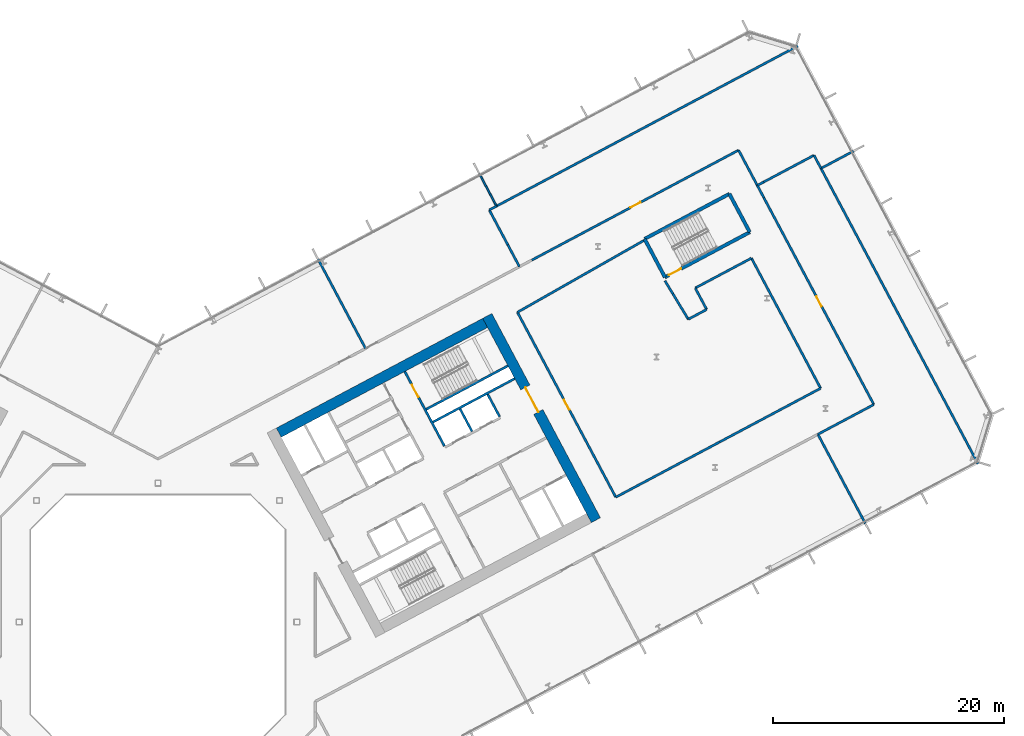
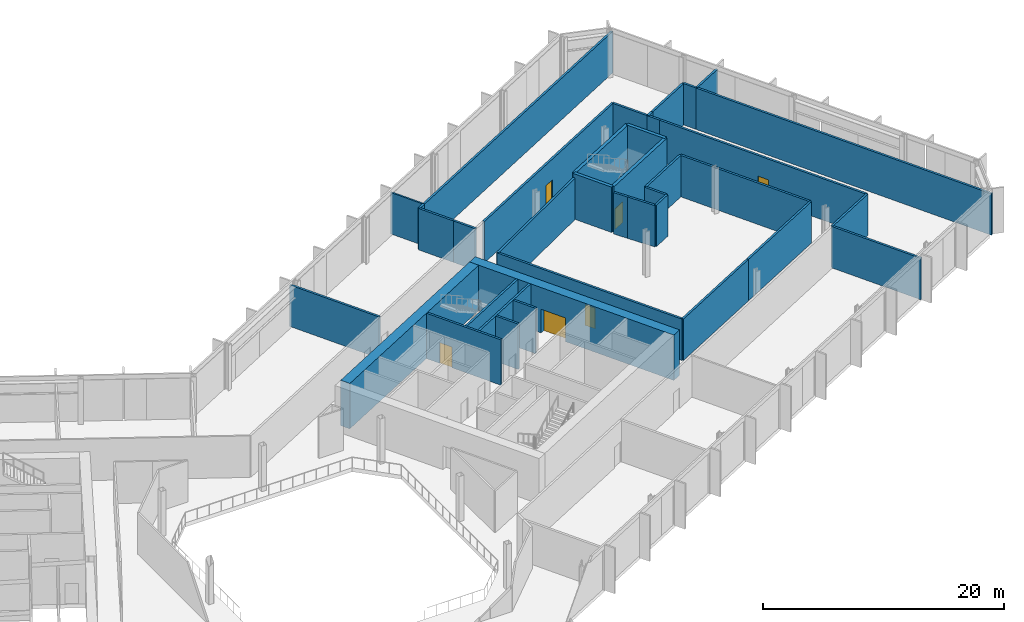
# One storey, part 18 of 30: 38 walls, 6 doors, 6 openings.
"""IFC4 building model written with IfcOpenShell, lengths in metres."""

from ifc_helpers import new_model, si_unit, direction, frame, frame_2d, origin, place, context, subcontext, project, spatial, rectangle, extrude, material, layer, layer_set, type_object, element, fill, save


model = new_model("IFC4")

# Units and contexts
model_context = context("Model", 3, precision=1e-05, world=origin(), true_north=direction((0.0, 1.0)))
body_context = subcontext(model_context, "Body", "Model", "MODEL_VIEW")
ifc_project = project(units=[si_unit("LENGTHUNIT", "METRE"), si_unit("AREAUNIT", "SQUARE_METRE"), si_unit("VOLUMEUNIT", "CUBIC_METRE"), si_unit("PLANEANGLEUNIT", "RADIAN"), si_unit("MASSUNIT", "GRAM", prefix="KILO")], contexts=[model_context])

# Site, building, storey
site_placement = place(None, origin())
site = spatial("IfcSite", under=ifc_project, at=site_placement, CompositionType="ELEMENT")
building_placement = place(site_placement, origin())
building = spatial("IfcBuilding", under=site, at=building_placement, Name="Cormorant Relay Tower", CompositionType="ELEMENT")
storey_placement = place(building_placement, frame((0.0, 0.0, 89.199951171875)))
storey = spatial("IfcBuildingStorey", under=building, at=storey_placement, Name="L17", CompositionType="ELEMENT", Elevation=89.199951171875)

# Wall
ifc_material_1 = material(Name="Concrete 40 MPa", Category="concrete")
ifc_layer_1 = layer(ifc_material_1, 0.199951171875)
ifc_layer_set_1 = layer_set([ifc_layer_1], Name="Core internal wall 200")
wall_type_1 = type_object("IfcWallType", Name="Core internal wall 200", PredefinedType="SOLIDWALL", material=ifc_layer_set_1)
wall_1_placement = place(storey_placement, frame((27.144287109375, 16.471435546875, 0.0), z_axis=(0.0, 0.0, 1.0), x_axis=(-0.469401318492, 0.882984938828, 0.0)))
element("IfcWall", 1, at=wall_1_placement, inside=storey, type_object=wall_type_1, Name="L17 core B shaft and room wall", PredefinedType="SOLIDWALL", context=body_context, shape_type="SweptSolid", body=[
    extrude(rectangle(XDim=2.199951171875, YDim=0.199951171875, at=frame_2d((1.10009765625, 0.0))), origin(), (0.0, 0.0, 1.0), 4.60009765625),
])

# Wall, opening, door
ifc_material_2 = material(Name="Concrete 50 MPa", Category="concrete")
ifc_layer_2 = layer(ifc_material_2, 0.199951171875)
ifc_layer_set_2 = layer_set([ifc_layer_2], Name="Core shaft wall 200")
wall_type_2 = type_object("IfcWallType", Name="Core shaft wall 200", PredefinedType="SHEAR", material=ifc_layer_set_2)
wall_2_placement = place(storey_placement, frame((24.760498046875, 15.2041015625, 0.0), z_axis=(0.0, 0.0, 1.0), x_axis=(-0.469494272526, 0.882935517501, 0.0)))
wall_2 = element("IfcWall", 2, at=wall_2_placement, inside=storey, type_object=wall_type_2, Name="L17 core B shaft wall", PredefinedType="SHEAR", context=body_context, shape_type="SweptSolid", body=[
    extrude(rectangle(XDim=7.2998046875, YDim=0.199951171875, at=frame_2d((3.64990234375, 0.0))), origin(), (0.0, 0.0, 1.0), 4.60009765625),
])
opening_1_placement = place(wall_2_placement, frame((4.800048828125, 0.0, 0.0)))
opening_1 = element("IfcOpeningElement", 3, at=opening_1_placement, cuts=wall_2, Name="Opening CDB-027", PredefinedType="OPENING", context=body_context, shape_type="SweptSolid", body=[
    extrude(rectangle(XDim=1.199951171875, YDim=2.10009765625, at=frame_2d((0.60009765625, 1.050048828125))), frame((0.0, 0.10986328125, 0.0), z_axis=(0.0, -1.0, 0.0), x_axis=(1.0, 0.0, 0.0)), (0.0, 0.0, 1.0), 0.219970703125),
])
ifc_material_3 = material(Name="Steel fire door", Category="steel")
door_type_1 = type_object("IfcDoorType", Name="Core stair door 1200x2100", OperationType="SINGLE_SWING_LEFT", PredefinedType="DOOR", material=ifc_material_3)
door_1_placement = place(opening_1_placement, frame((1.199951171875, 0.0, 0.0), z_axis=(0.0, 0.0, 1.0), x_axis=(-1.0, 0.0, 0.0)))
door_1 = element("IfcDoor", 4, at=door_1_placement, inside=storey, type_object=door_type_1, Name="Core stair door 1200x2100", OperationType="SINGLE_SWING_RIGHT", OverallHeight=2.10009765625, OverallWidth=1.199951171875, PredefinedType="DOOR", context=body_context, shape_type="SweptSolid", body=[
    extrude(rectangle(XDim=1.199951171875, YDim=2.10009765625, at=frame_2d((0.60009765625, 1.050048828125))), frame((0.0, 0.02490234375, 0.0), z_axis=(0.0, -1.0, 0.0), x_axis=(1.0, 0.0, 0.0)), (0.0, 0.0, 1.0), 0.050048828125),
])
fill(opening_1, door_1)

# Walls
wall_3_placement = place(storey_placement, frame((29.5283203125, 17.739013671875, 0.0), z_axis=(0.0, 0.0, 1.0), x_axis=(-0.469401318492, 0.882984938828, 0.0)))
element("IfcWall", 5, at=wall_3_placement, inside=storey, type_object=wall_type_2, Name="L17 core B shaft wall", PredefinedType="SHEAR", context=body_context, shape_type="SweptSolid", body=[
    extrude(rectangle(XDim=2.199951171875, YDim=0.199951171875, at=frame_2d((1.10009765625, 0.0))), origin(), (0.0, 0.0, 1.0), 4.60009765625),
])
wall_4_placement = place(storey_placement, frame((23.76904296875, 17.28173828125, 0.0), z_axis=(0.0, 0.0, 1.0), x_axis=(0.882940221191, 0.469485426614, 0.0)))
element("IfcWall", 6, at=wall_4_placement, inside=storey, type_object=wall_type_2, Name="L17 core B shaft wall", PredefinedType="SHEAR", context=body_context, shape_type="SweptSolid", body=[
    extrude(rectangle(XDim=8.0, YDim=0.199951171875, at=frame_2d((4.0, 0.0))), origin(), (0.0, 0.0, 1.0), 4.60009765625),
])
wall_5_placement = place(storey_placement, frame((23.18212890625, 18.385498046875, 0.0), z_axis=(0.0, 0.0, 1.0), x_axis=(0.88295287151, 0.469461634952, 0.0)))
element("IfcWall", 7, at=wall_5_placement, inside=storey, type_object=wall_type_2, Name="L17 core B shaft wall", PredefinedType="SHEAR", context=body_context, shape_type="SweptSolid", body=[
    extrude(rectangle(XDim=7.999755859375, YDim=0.199951171875, at=frame_2d((4.0, 0.0))), origin(), (0.0, 0.0, 1.0), 4.60009765625),
])

# Wall, opening, door
ifc_material_4 = material(Name="Concrete 70 MPa", Category="concrete")
ifc_layer_3 = layer(ifc_material_4, 0.89990234375)
ifc_layer_set_3 = layer_set([ifc_layer_3], Name="Core wall 900")
wall_type_3 = type_object("IfcWallType", Name="Core wall 900", PredefinedType="SHEAR", material=ifc_layer_set_3)
wall_6_placement = place(storey_placement, frame((37.849365234375, 8.799072265625, 0.0), z_axis=(0.0, 0.0, 1.0), x_axis=(-0.469465789982, 0.882950662289, 0.0)))
wall_6 = element("IfcWall", 8, at=wall_6_placement, inside=storey, type_object=wall_type_3, Name="L17 core B wall", PredefinedType="SHEAR", context=body_context, shape_type="SweptSolid", body=[
    extrude(rectangle(XDim=20.000244140625, YDim=0.89990234375, at=frame_2d((10.0, 0.0))), origin(), (0.0, 0.0, 1.0), 4.60009765625),
])
opening_2_placement = place(wall_6_placement, frame((10.60009765625, 0.0, 0.0)))
opening_2 = element("IfcOpeningElement", 9, at=opening_2_placement, cuts=wall_6, Name="Opening CDA-020", PredefinedType="OPENING", context=body_context, shape_type="SweptSolid", body=[
    extrude(rectangle(XDim=2.39990234375, YDim=2.39990234375, at=frame_2d((1.199951171875, 1.199951171875))), frame((0.0, 0.4599609375, 0.0), z_axis=(0.0, -1.0, 0.0), x_axis=(1.0, 0.0, 0.0)), (0.0, 0.0, 1.0), 0.919921875),
])
ifc_material_5 = material(Name="Steel fire door", Category="steel")
door_type_2 = type_object("IfcDoorType", Name="Core lobby door 2400x2400", OperationType="DOUBLE_DOOR_SINGLE_SWING", PredefinedType="DOOR", material=ifc_material_5)
door_2_placement = place(opening_2_placement, origin())
door_2 = element("IfcDoor", 10, at=door_2_placement, inside=storey, type_object=door_type_2, Name="Core lobby door 2400x2400", OperationType="DOUBLE_DOOR_SINGLE_SWING", OverallHeight=2.39990234375, OverallWidth=2.39990234375, PredefinedType="DOOR", context=body_context, shape_type="SweptSolid", body=[
    extrude(rectangle(XDim=2.39990234375, YDim=2.39990234375, at=frame_2d((1.199951171875, 1.199951171875))), frame((0.0, 0.02490234375, 0.0), z_axis=(0.0, -1.0, 0.0), x_axis=(1.0, 0.0, 0.0)), (0.0, 0.0, 1.0), 0.050048828125),
])
fill(opening_2, door_2)

# Walls
wall_7_placement = place(storey_placement, frame((10.4384765625, 16.3662109375, 0.0), z_axis=(0.0, 0.0, 1.0), x_axis=(0.88294509198, 0.469476266226, 0.0)))
element("IfcWall", 11, at=wall_7_placement, inside=storey, type_object=wall_type_3, Name="L17 core B wall", PredefinedType="SHEAR", context=body_context, shape_type="SweptSolid", body=[
    extrude(rectangle(XDim=20.199951171875, YDim=0.89990234375, at=frame_2d((10.10009765625, 0.0))), origin(), (0.0, 0.0, 1.0), 4.60009765625),
])
ifc_material_6 = material(Name="Fire-rated gypsum board partition")
ifc_layer_4 = layer(ifc_material_6, 0.199951171875)
ifc_layer_set_4 = layer_set([ifc_layer_4], Name="Fire-rated gypsum partition 200")
wall_type_4 = type_object("IfcWallType", Name="Fire-rated gypsum partition 200", PredefinedType="PARTITIONING", material=ifc_layer_set_4)
wall_8_placement = place(storey_placement, frame((13.833984375, 31.365966796875, 0.0), z_axis=(0.0, 0.0, 1.0), x_axis=(0.469374180568, -0.882999365014, 0.0)))
element("IfcWall", 12, at=wall_8_placement, inside=storey, type_object=wall_type_4, Name="wall/L17/part/48", PredefinedType="PARTITIONING", context=body_context, shape_type="SweptSolid", body=[
    extrude(rectangle(XDim=8.749755859375, YDim=0.199951171875, at=frame_2d((4.375, 0.0))), origin(), (0.0, 0.0, 1.0), 4.199951171875),
])
wall_9_placement = place(storey_placement, frame((30.235107421875, 32.59912109375, 0.0), z_axis=(0.0, 0.0, 1.0), x_axis=(0.46945013559, -0.882958985568, 0.0)))
element("IfcWall", 13, at=wall_9_placement, inside=storey, type_object=wall_type_4, Name="wall/L17/part/58", PredefinedType="PARTITIONING", context=body_context, shape_type="SweptSolid", body=[
    extrude(rectangle(XDim=2.138427734375, YDim=0.199951171875, at=frame_2d((1.0693359375, 0.0))), origin(), (0.0, 0.0, 1.0), 4.199951171875),
])
wall_10_placement = place(storey_placement, frame((29.260009765625, 35.945068359375, 0.0), z_axis=(0.0, 0.0, 1.0), x_axis=(0.882955510648, 0.469456671288, 0.0)))
element("IfcWall", 14, at=wall_10_placement, inside=storey, type_object=wall_type_4, Name="wall/L17/part/60", PredefinedType="PARTITIONING", context=body_context, shape_type="SweptSolid", body=[
    extrude(rectangle(XDim=29.506591796875, YDim=0.199951171875, at=frame_2d((14.75341796875, 0.0))), origin(), (0.0, 0.0, 1.0), 4.199951171875),
])
wall_11_placement = place(storey_placement, frame((30.235107421875, 32.59912109375, 0.0), z_axis=(0.0, 0.0, 1.0), x_axis=(-0.469599917758, 0.882879333341, 0.0)))
element("IfcWall", 15, at=wall_11_placement, inside=storey, type_object=wall_type_4, Name="wall/L17/part/61", PredefinedType="PARTITIONING", context=body_context, shape_type="SweptSolid", body=[
    extrude(rectangle(XDim=3.41162109375, YDim=0.199951171875, at=frame_2d((1.705810546875, 0.0))), origin(), (0.0, 0.0, 1.0), 4.199951171875),
])
wall_12_placement = place(storey_placement, frame((28.633056640625, 35.611083984375, 0.0), z_axis=(0.0, 0.0, 1.0), x_axis=(0.882581167339, 0.470160061106, 0.0)))
element("IfcWall", 16, at=wall_12_placement, inside=storey, type_object=wall_type_4, Name="wall/L17/part/62", PredefinedType="PARTITIONING", context=body_context, shape_type="SweptSolid", body=[
    extrude(rectangle(XDim=0.71044921875, YDim=0.199951171875, at=frame_2d((0.355224609375, 0.0))), origin(), (0.0, 0.0, 1.0), 4.199951171875),
])

# Wall, opening, door
wall_13_placement = place(storey_placement, frame((32.30810546875, 31.279052734375, 0.0), z_axis=(0.0, 0.0, 1.0), x_axis=(0.882939951573, 0.469485933673, 0.0)))
wall_13 = element("IfcWall", 17, at=wall_13_placement, inside=storey, type_object=wall_type_4, Name="wall/L17/part/64", PredefinedType="PARTITIONING", context=body_context, shape_type="SweptSolid", body=[
    extrude(rectangle(XDim=20.239013671875, YDim=0.199951171875, at=frame_2d((10.11962890625, 0.0))), origin(), (0.0, 0.0, 1.0), 4.199951171875),
])
opening_3_placement = place(wall_13_placement, frame((9.64990234375, 0.0, 0.0)))
opening_3 = element("IfcOpeningElement", 18, at=opening_3_placement, cuts=wall_13, Name="Opening FD1-099", PredefinedType="OPENING", context=body_context, shape_type="SweptSolid", body=[
    extrude(rectangle(XDim=1.0, YDim=2.10009765625, at=frame_2d((0.5, 1.050048828125))), frame((0.0, 0.10986328125, 0.0), z_axis=(0.0, -1.0, 0.0), x_axis=(1.0, 0.0, 0.0)), (0.0, 0.0, 1.0), 0.219970703125),
])
ifc_material_7 = material(Name="Fire-rated steel door", Category="steel")
door_type_3 = type_object("IfcDoorType", Name="Fire door 1000 x 2100", OperationType="SINGLE_SWING_LEFT", PredefinedType="DOOR", material=ifc_material_7)
door_3_placement = place(opening_3_placement, origin())
door_3 = element("IfcDoor", 19, at=door_3_placement, inside=storey, type_object=door_type_3, Name="door/L17/8", OperationType="SINGLE_SWING_LEFT", OverallHeight=2.10009765625, OverallWidth=1.0, PredefinedType="DOOR", context=body_context, shape_type="SweptSolid", body=[
    extrude(rectangle(XDim=1.0, YDim=2.10009765625, at=frame_2d((0.5, 1.050048828125))), frame((0.0, 0.02490234375, 0.0), z_axis=(0.0, -1.0, 0.0), x_axis=(1.0, 0.0, 0.0)), (0.0, 0.0, 1.0), 0.050048828125),
])
fill(opening_3, door_3)

# Walls
wall_14_placement = place(storey_placement, frame((50.177978515625, 40.781005859375, 0.0), z_axis=(0.0, 0.0, 1.0), x_axis=(0.469355564401, -0.883009260521, 0.0)))
element("IfcWall", 20, at=wall_14_placement, inside=storey, type_object=wall_type_4, Name="wall/L17/part/65", PredefinedType="PARTITIONING", context=body_context, shape_type="SweptSolid", body=[
    extrude(rectangle(XDim=3.445068359375, YDim=0.199951171875, at=frame_2d((1.72265625, 0.0))), origin(), (0.0, 0.0, 1.0), 4.199951171875),
])
wall_15_placement = place(storey_placement, frame((57.033935546875, 16.22509765625, 0.0), z_axis=(0.0, 0.0, 1.0), x_axis=(0.469482945701, -0.882941540361, 0.0)))
element("IfcWall", 21, at=wall_15_placement, inside=storey, type_object=wall_type_4, Name="wall/L17/part/66", PredefinedType="PARTITIONING", context=body_context, shape_type="SweptSolid", body=[
    extrude(rectangle(XDim=8.75048828125, YDim=0.199951171875, at=frame_2d((4.375244140625, 0.0))), origin(), (0.0, 0.0, 1.0), 4.199951171875),
])
wall_16_placement = place(storey_placement, frame((48.541015625, 15.56005859375, 0.0), z_axis=(0.0, 0.0, 1.0), x_axis=(-0.882933406877, -0.469498241765, 0.0)))
element("IfcWall", 22, at=wall_16_placement, inside=storey, type_object=wall_type_4, Name="wall/L17/part/67", PredefinedType="PARTITIONING", context=body_context, shape_type="SweptSolid", body=[
    extrude(rectangle(XDim=10.1640625, YDim=0.199951171875, at=frame_2d((5.08203125, 0.0))), origin(), (0.0, 0.0, 1.0), 4.199951171875),
])

# Wall, opening, door
wall_17_placement = place(storey_placement, frame((39.56689453125, 10.7880859375, 0.0), z_axis=(0.0, 0.0, 1.0), x_axis=(-0.469474056812, 0.882946266757, 0.0)))
wall_17 = element("IfcWall", 23, at=wall_17_placement, inside=storey, type_object=wall_type_4, Name="wall/L17/part/68", PredefinedType="PARTITIONING", context=body_context, shape_type="SweptSolid", body=[
    extrude(rectangle(XDim=18.1005859375, YDim=0.199951171875, at=frame_2d((9.05029296875, 0.0))), origin(), (0.0, 0.0, 1.0), 4.199951171875),
])
opening_4_placement = place(wall_17_placement, frame((8.550048828125, 0.0, 0.0)))
opening_4 = element("IfcOpeningElement", 24, at=opening_4_placement, cuts=wall_17, Name="Opening FD1-094", PredefinedType="OPENING", context=body_context, shape_type="SweptSolid", body=[
    extrude(rectangle(XDim=1.0, YDim=2.10009765625, at=frame_2d((0.5, 1.050048828125))), frame((0.0, 0.10986328125, 0.0), z_axis=(0.0, -1.0, 0.0), x_axis=(1.0, 0.0, 0.0)), (0.0, 0.0, 1.0), 0.219970703125),
])
door_4_placement = place(opening_4_placement, origin())
door_4 = element("IfcDoor", 25, at=door_4_placement, inside=storey, type_object=door_type_3, Name="door/L17/21", OperationType="SINGLE_SWING_RIGHT", OverallHeight=2.10009765625, OverallWidth=1.0, PredefinedType="DOOR", context=body_context, shape_type="SweptSolid", body=[
    extrude(rectangle(XDim=1.0, YDim=2.10009765625, at=frame_2d((0.5, 1.050048828125))), frame((0.0, 0.02490234375, 0.0), z_axis=(0.0, -1.0, 0.0), x_axis=(1.0, 0.0, 0.0)), (0.0, 0.0, 1.0), 0.050048828125),
])
fill(opening_4, door_4)

# Walls
wall_18_placement = place(storey_placement, frame((31.069091796875, 26.77001953125, 0.0), z_axis=(0.0, 0.0, 1.0), x_axis=(0.86954617394, 0.493851649168, 0.0)))
element("IfcWall", 26, at=wall_18_placement, inside=storey, type_object=wall_type_4, Name="wall/L17/part/69", PredefinedType="PARTITIONING", context=body_context, shape_type="SweptSolid", body=[
    extrude(rectangle(XDim=12.55029296875, YDim=0.199951171875, at=frame_2d((6.275146484375, 0.0))), origin(), (0.0, 0.0, 1.0), 4.199951171875),
])
wall_19_placement = place(storey_placement, frame((43.81591796875, 29.490966796875, 0.0), z_axis=(0.0, 0.0, 1.0), x_axis=(0.518473208291, -0.855093873376, 0.0)))
element("IfcWall", 27, at=wall_19_placement, inside=storey, type_object=wall_type_4, Name="wall/L17/part/70", PredefinedType="PARTITIONING", context=body_context, shape_type="SweptSolid", body=[
    extrude(rectangle(XDim=1.324951171875, YDim=0.199951171875, at=frame_2d((0.66259765625, 0.0))), origin(), (0.0, 0.0, 1.0), 4.199951171875),
])
wall_20_placement = place(storey_placement, frame((45.8310546875, 26.1669921875, 0.0), z_axis=(0.0, 0.0, 1.0), x_axis=(-0.518386189645, 0.855146629757, 0.0)))
element("IfcWall", 28, at=wall_20_placement, inside=storey, type_object=wall_type_4, Name="wall/L17/part/71", PredefinedType="PARTITIONING", context=body_context, shape_type="SweptSolid", body=[
    extrude(rectangle(XDim=2.56201171875, YDim=0.199951171875, at=frame_2d((1.281005859375, 0.0))), origin(), (0.0, 0.0, 1.0), 4.199951171875),
])
wall_21_placement = place(storey_placement, frame((47.419921875, 27.011962890625, 0.0), z_axis=(0.0, 0.0, 1.0), x_axis=(-0.882911879422, -0.469538723829, 0.0)))
element("IfcWall", 29, at=wall_21_placement, inside=storey, type_object=wall_type_4, Name="wall/L17/part/72", PredefinedType="PARTITIONING", context=body_context, shape_type="SweptSolid", body=[
    extrude(rectangle(XDim=1.799560546875, YDim=0.199951171875, at=frame_2d((0.89990234375, 0.0))), origin(), (0.0, 0.0, 1.0), 4.199951171875),
])
wall_22_placement = place(storey_placement, frame((46.43408203125, 28.865966796875, 0.0), z_axis=(0.0, 0.0, 1.0), x_axis=(0.882942083458, 0.469481924316, 0.0)))
element("IfcWall", 30, at=wall_22_placement, inside=storey, type_object=wall_type_4, Name="wall/L17/part/73", PredefinedType="PARTITIONING", context=body_context, shape_type="SweptSolid", body=[
    extrude(rectangle(XDim=5.499755859375, YDim=0.199951171875, at=frame_2d((2.75, 0.0))), origin(), (0.0, 0.0, 1.0), 4.199951171875),
])
wall_23_placement = place(storey_placement, frame((51.2900390625, 31.447998046875, 0.0), z_axis=(0.0, 0.0, 1.0), x_axis=(0.469459757109, -0.882953869947, 0.0)))
element("IfcWall", 31, at=wall_23_placement, inside=storey, type_object=wall_type_4, Name="wall/L17/part/74", PredefinedType="PARTITIONING", context=body_context, shape_type="SweptSolid", body=[
    extrude(rectangle(XDim=12.738037109375, YDim=0.199951171875, at=frame_2d((6.369140625, 0.0))), origin(), (0.0, 0.0, 1.0), 4.199951171875),
])
wall_24_placement = place(storey_placement, frame((57.27001953125, 20.200927734375, 0.0), z_axis=(0.0, 0.0, 1.0), x_axis=(-0.882965394181, -0.469438081837, 0.0)))
element("IfcWall", 32, at=wall_24_placement, inside=storey, type_object=wall_type_4, Name="wall/L17/part/75", PredefinedType="PARTITIONING", context=body_context, shape_type="SweptSolid", body=[
    extrude(rectangle(XDim=9.885986328125, YDim=0.199951171875, at=frame_2d((4.94287109375, 0.0))), origin(), (0.0, 0.0, 1.0), 4.199951171875),
])
wall_25_placement = place(storey_placement, frame((47.419921875, 27.011962890625, 0.0), z_axis=(0.0, 0.0, 1.0), x_axis=(-0.469489562011, 0.882938022266, 0.0)))
element("IfcWall", 33, at=wall_25_placement, inside=storey, type_object=wall_type_4, Name="wall/L17/part/76", PredefinedType="PARTITIONING", context=body_context, shape_type="SweptSolid", body=[
    extrude(rectangle(XDim=2.099853515625, YDim=0.199951171875, at=frame_2d((1.0498046875, 0.0))), origin(), (0.0, 0.0, 1.0), 4.199951171875),
])
wall_26_placement = place(storey_placement, frame((51.794921875, 37.739013671875, 0.0), z_axis=(0.0, 0.0, 1.0), x_axis=(0.469473160434, -0.882946743373, 0.0)))
element("IfcWall", 34, at=wall_26_placement, inside=storey, type_object=wall_type_4, Name="wall/L17/part/77", PredefinedType="PARTITIONING", context=body_context, shape_type="SweptSolid", body=[
    extrude(rectangle(XDim=1.21630859375, YDim=0.199951171875, at=frame_2d((0.608154296875, 0.0))), origin(), (0.0, 0.0, 1.0), 4.199951171875),
])
wall_27_placement = place(storey_placement, frame((52.35107421875, 38.029052734375, 0.0), z_axis=(0.0, 0.0, 1.0), x_axis=(0.882969925021, 0.469429559688, 0.0)))
element("IfcWall", 35, at=wall_27_placement, inside=storey, type_object=wall_type_4, Name="wall/L17/part/78", PredefinedType="PARTITIONING", context=body_context, shape_type="SweptSolid", body=[
    extrude(rectangle(XDim=4.923095703125, YDim=0.199951171875, at=frame_2d((2.46142578125, 0.0))), origin(), (0.0, 0.0, 1.0), 4.199951171875),
])
wall_28_placement = place(storey_placement, frame((56.697998046875, 40.340087890625, 0.0), z_axis=(0.0, 0.0, 1.0), x_axis=(0.468946315527, -0.883226671446, 0.0)))
element("IfcWall", 36, at=wall_28_placement, inside=storey, type_object=wall_type_4, Name="wall/L17/part/79", PredefinedType="PARTITIONING", context=body_context, shape_type="SweptSolid", body=[
    extrude(rectangle(XDim=1.28173828125, YDim=0.199951171875, at=frame_2d((0.640869140625, 0.0))), origin(), (0.0, 0.0, 1.0), 4.199951171875),
])
wall_29_placement = place(storey_placement, frame((51.798095703125, 37.73388671875, 0.0), z_axis=(0.0, 0.0, 1.0), x_axis=(0.882191163795, 0.470891442396, 0.0)))
element("IfcWall", 37, at=wall_29_placement, inside=storey, type_object=wall_type_4, Name="wall/L17/part/80", PredefinedType="PARTITIONING", context=body_context, shape_type="SweptSolid", body=[
    extrude(rectangle(XDim=0.626708984375, YDim=0.199951171875, at=frame_2d((0.3134765625, 0.0))), origin(), (0.0, 0.0, 1.0), 4.199951171875),
])
wall_30_placement = place(storey_placement, frame((57.041015625, 16.22900390625, 0.0), z_axis=(0.0, 0.0, 1.0), x_axis=(0.882918476145, 0.469526319265, 0.0)))
element("IfcWall", 38, at=wall_30_placement, inside=storey, type_object=wall_type_4, Name="wall/L17/part/81", PredefinedType="PARTITIONING", context=body_context, shape_type="SweptSolid", body=[
    extrude(rectangle(XDim=5.467041015625, YDim=0.199951171875, at=frame_2d((2.7333984375, 0.0))), origin(), (0.0, 0.0, 1.0), 4.199951171875),
])

# Wall, opening, door
wall_31_placement = place(storey_placement, frame((52.365966796875, 36.6650390625, 0.0), z_axis=(0.0, 0.0, 1.0), x_axis=(0.469480933333, -0.882942610387, 0.0)))
wall_31 = element("IfcWall", 39, at=wall_31_placement, inside=storey, type_object=wall_type_4, Name="wall/L17/part/82", PredefinedType="PARTITIONING", context=body_context, shape_type="SweptSolid", body=[
    extrude(rectangle(XDim=20.2392578125, YDim=0.199951171875, at=frame_2d((10.11962890625, 0.0))), origin(), (0.0, 0.0, 1.0), 4.199951171875),
])
opening_5_placement = place(wall_31_placement, frame((9.64990234375, 0.0, 0.0)))
opening_5 = element("IfcOpeningElement", 40, at=opening_5_placement, cuts=wall_31, Name="Opening FD1-098", PredefinedType="OPENING", context=body_context, shape_type="SweptSolid", body=[
    extrude(rectangle(XDim=1.0, YDim=2.10009765625, at=frame_2d((0.5, 1.050048828125))), frame((0.0, 0.10986328125, 0.0), z_axis=(0.0, -1.0, 0.0), x_axis=(1.0, 0.0, 0.0)), (0.0, 0.0, 1.0), 0.219970703125),
])
door_5_placement = place(opening_5_placement, origin())
door_5 = element("IfcDoor", 41, at=door_5_placement, inside=storey, type_object=door_type_3, Name="door/L17/7", OperationType="SINGLE_SWING_LEFT", OverallHeight=2.10009765625, OverallWidth=1.0, PredefinedType="DOOR", context=body_context, shape_type="SweptSolid", body=[
    extrude(rectangle(XDim=1.0, YDim=2.10009765625, at=frame_2d((0.5, 1.050048828125))), frame((0.0, 0.02490234375, 0.0), z_axis=(0.0, -1.0, 0.0), x_axis=(1.0, 0.0, 0.0)), (0.0, 0.0, 1.0), 0.050048828125),
])
fill(opening_5, door_5)

# Walls
wall_32_placement = place(storey_placement, frame((57.299072265625, 39.2080078125, 0.0), z_axis=(0.0, 0.0, 1.0), x_axis=(0.469480728433, -0.882942719337, 0.0)))
element("IfcWall", 42, at=wall_32_placement, inside=storey, type_object=wall_type_4, Name="wall/L17/part/83", PredefinedType="PARTITIONING", context=body_context, shape_type="SweptSolid", body=[
    extrude(rectangle(XDim=28.93408203125, YDim=0.199951171875, at=frame_2d((14.467041015625, 0.0))), origin(), (0.0, 0.0, 1.0), 4.199951171875),
])
wall_33_placement = place(storey_placement, frame((60.126953125, 40.70703125, 0.0), z_axis=(0.0, 0.0, 1.0), x_axis=(-0.883027796121, -0.469320691295, 0.0)))
element("IfcWall", 43, at=wall_33_placement, inside=storey, type_object=wall_type_4, Name="wall/L17/part/84", PredefinedType="PARTITIONING", context=body_context, shape_type="SweptSolid", body=[
    extrude(rectangle(XDim=3.2001953125, YDim=0.199951171875, at=frame_2d((1.60009765625, 0.0))), origin(), (0.0, 0.0, 1.0), 4.199951171875),
])
ifc_material_8 = material(Name="Gypsum board partition")
ifc_layer_5 = layer(ifc_material_8, 0.14990234375)
ifc_layer_set_5 = layer_set([ifc_layer_5], Name="Gypsum board partition 150")
wall_type_5 = type_object("IfcWallType", Name="Gypsum board partition 150", PredefinedType="PARTITIONING", material=ifc_layer_set_5)
wall_34_placement = place(storey_placement, frame((27.760009765625, 38.77099609375, 0.0), z_axis=(0.0, 0.0, 1.0), x_axis=(0.469320691295, -0.883027796121, 0.0)))
element("IfcWall", 44, at=wall_34_placement, inside=storey, type_object=wall_type_5, Name="wall/L17/part/59", PredefinedType="PARTITIONING", context=body_context, shape_type="SweptSolid", body=[
    extrude(rectangle(XDim=3.2001953125, YDim=0.14990234375, at=frame_2d((1.60009765625, 0.0))), origin(), (0.0, 0.0, 1.0), 4.199951171875),
])
ifc_material_9 = material(Name="Concrete 50 MPa", Category="concrete")
ifc_layer_6 = layer(ifc_material_9, 0.300048828125)
ifc_layer_set_6 = layer_set([ifc_layer_6], Name="Remote stair wall 300")
wall_type_6 = type_object("IfcWallType", Name="Remote stair wall 300", PredefinedType="SHEAR", material=ifc_layer_set_6)
wall_35_placement = place(storey_placement, frame((49.384033203125, 37.00390625, 0.0), z_axis=(0.0, 0.0, 1.0), x_axis=(0.46946936446, -0.882948761726, 0.0)))
element("IfcWall", 45, at=wall_35_placement, inside=storey, type_object=wall_type_6, Name="L17 exit stair RB1 wall", PredefinedType="SHEAR", context=body_context, shape_type="SweptSolid", body=[
    extrude(rectangle(XDim=3.75, YDim=0.300048828125, at=frame_2d((1.875, 0.0))), origin(), (0.0, 0.0, 1.0), 4.60009765625),
])

# Wall, opening, door
wall_36_placement = place(storey_placement, frame((51.14453125, 33.69287109375, 0.0), z_axis=(0.0, 0.0, 1.0), x_axis=(-0.882945809314, -0.469474917132, 0.0)))
wall_36 = element("IfcWall", 46, at=wall_36_placement, inside=storey, type_object=wall_type_6, Name="L17 exit stair RB1 wall", PredefinedType="SHEAR", context=body_context, shape_type="SweptSolid", body=[
    extrude(rectangle(XDim=8.30029296875, YDim=0.300048828125, at=frame_2d((4.150146484375, 0.0))), origin(), (0.0, 0.0, 1.0), 4.60009765625),
])
opening_6_placement = place(wall_36_placement, frame((6.72509765625, 0.0, 0.0)))
opening_6 = element("IfcOpeningElement", 47, at=opening_6_placement, cuts=wall_36, Name="Opening CDB-028", PredefinedType="OPENING", context=body_context, shape_type="SweptSolid", body=[
    extrude(rectangle(XDim=1.199951171875, YDim=2.10009765625, at=frame_2d((0.60009765625, 1.050048828125))), frame((0.0, 0.159912109375, 0.0), z_axis=(0.0, -1.0, 0.0), x_axis=(1.0, 0.0, 0.0)), (0.0, 0.0, 1.0), 0.320068359375),
])
door_6_placement = place(opening_6_placement, frame((1.199951171875, 0.0, 0.0), z_axis=(0.0, 0.0, 1.0), x_axis=(-1.0, 0.0, 0.0)))
door_6 = element("IfcDoor", 48, at=door_6_placement, inside=storey, type_object=door_type_1, Name="Exit stair RB1 door", OperationType="SINGLE_SWING_LEFT", OverallHeight=2.10009765625, OverallWidth=1.199951171875, PredefinedType="DOOR", context=body_context, shape_type="SweptSolid", body=[
    extrude(rectangle(XDim=1.199951171875, YDim=2.10009765625, at=frame_2d((0.60009765625, 1.050048828125))), frame((0.0, 0.02490234375, 0.0), z_axis=(0.0, -1.0, 0.0), x_axis=(1.0, 0.0, 0.0)), (0.0, 0.0, 1.0), 0.050048828125),
])
fill(opening_6, door_6)

# Walls
wall_37_placement = place(storey_placement, frame((43.81591796875, 29.796142578125, 0.0), z_axis=(0.0, 0.0, 1.0), x_axis=(-0.46946936446, 0.882948761726, 0.0)))
element("IfcWall", 49, at=wall_37_placement, inside=storey, type_object=wall_type_6, Name="L17 exit stair RB1 wall", PredefinedType="SHEAR", context=body_context, shape_type="SweptSolid", body=[
    extrude(rectangle(XDim=3.75, YDim=0.300048828125, at=frame_2d((1.875, 0.0))), origin(), (0.0, 0.0, 1.0), 4.60009765625),
])
wall_38_placement = place(storey_placement, frame((42.055419921875, 33.107177734375, 0.0), z_axis=(0.0, 0.0, 1.0), x_axis=(0.882945809314, 0.469474917132, 0.0)))
element("IfcWall", 50, at=wall_38_placement, inside=storey, type_object=wall_type_6, Name="L17 exit stair RB1 wall", PredefinedType="SHEAR", context=body_context, shape_type="SweptSolid", body=[
    extrude(rectangle(XDim=8.30029296875, YDim=0.300048828125, at=frame_2d((4.150146484375, 0.0))), origin(), (0.0, 0.0, 1.0), 4.60009765625),
])

save(model, "model.ifc")
